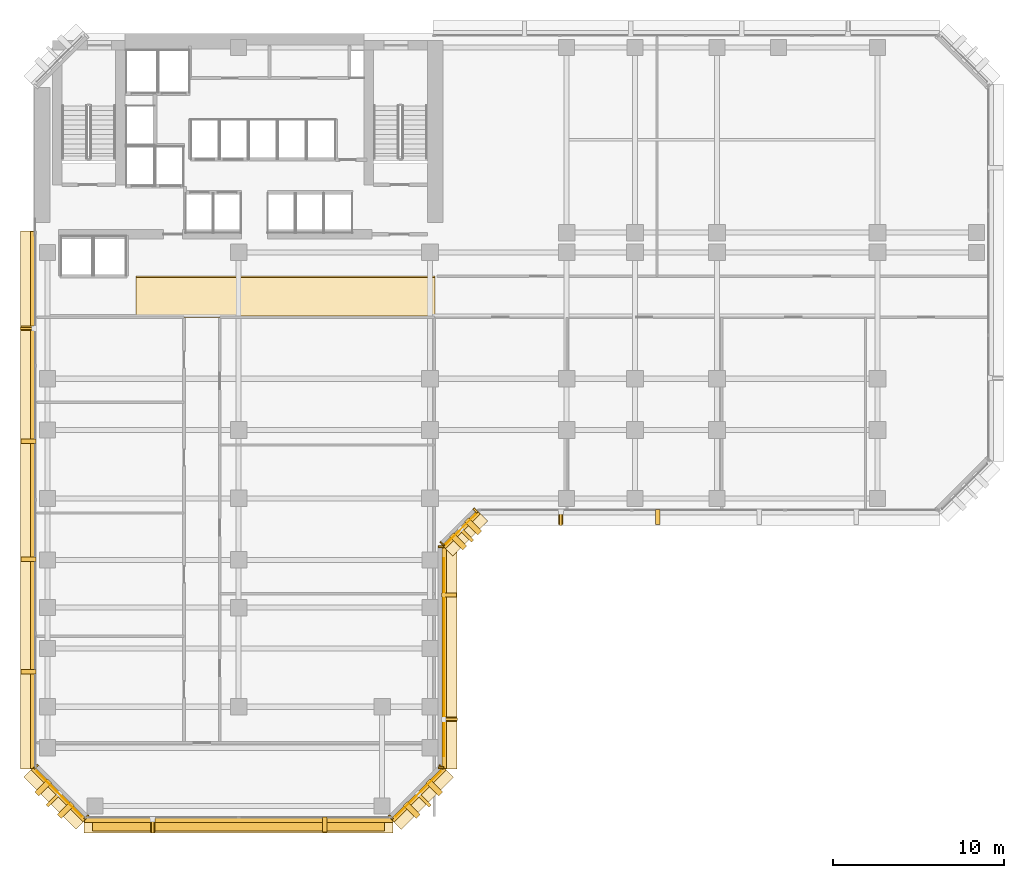
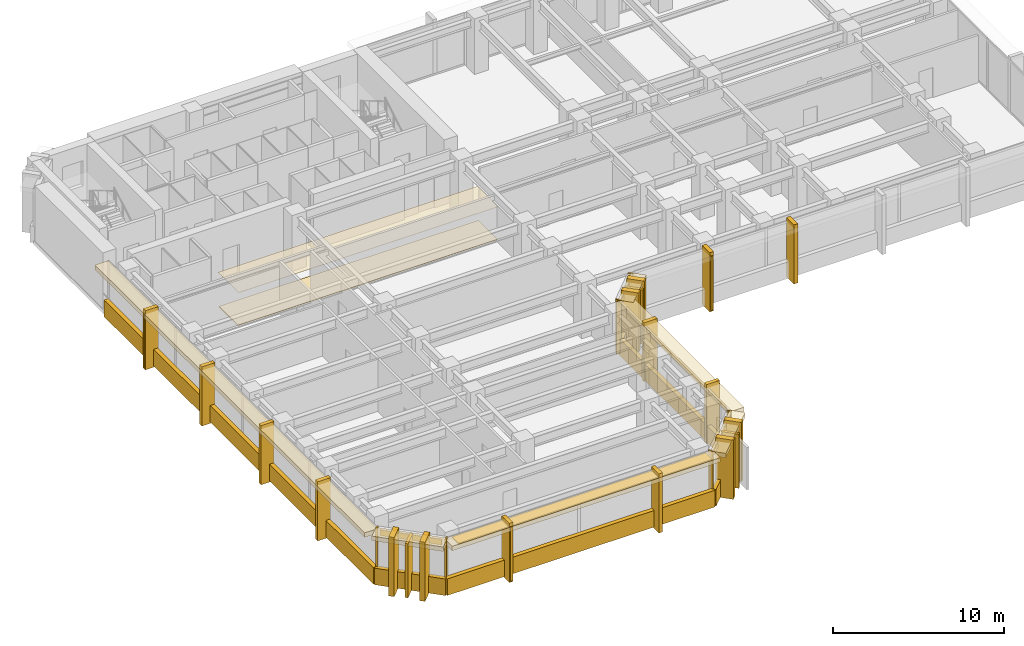
# One storey, part 9 of 13: 42 coverings, 8 shading devices.
"""IFC4 building model written with IfcOpenShell, lengths in metres."""

from ifc_helpers import new_model, si_unit, direction, frame, origin, origin_2d, place, context, subcontext, project, spatial, polyline, rectangle, outline, extrude, material, layer, layer_set, material_profile, profile_set, type_object, element, save


model = new_model("IFC4")

# Units and contexts
model_context = context("Model", 3, precision=1e-05, world=origin(), true_north=direction((0.0, 1.0)))
body_context = subcontext(model_context, "Body", "Model", "MODEL_VIEW")
ifc_project = project(units=[si_unit("LENGTHUNIT", "METRE"), si_unit("AREAUNIT", "SQUARE_METRE"), si_unit("VOLUMEUNIT", "CUBIC_METRE"), si_unit("PLANEANGLEUNIT", "RADIAN"), si_unit("MASSUNIT", "GRAM", prefix="KILO")], contexts=[model_context])

# Site, building, storey
site_placement = place(None, origin())
site = spatial("IfcSite", under=ifc_project, at=site_placement, CompositionType="ELEMENT")
building_placement = place(site_placement, origin())
building = spatial("IfcBuilding", under=site, at=building_placement, Name="Kefirva Bronze Tower", CompositionType="ELEMENT")
storey_placement = place(building_placement, frame((0.0, 0.0, 54.1201171875)))
storey = spatial("IfcBuildingStorey", under=building, at=storey_placement, Name="L12", CompositionType="ELEMENT", Elevation=54.1201171875)

# Coverings
ifc_material_1 = material(Name="Acoustic mineral tile")
ifc_layer_1 = layer(ifc_material_1, 0.02490234375, Name="Acoustic mineral tile")
ifc_layer_set_1 = layer_set([ifc_layer_1], Name="Acoustic mineral tile")
covering_type_1 = type_object("IfcCoveringType", Name="Acoustic Mineral Suspended Ceiling 25mm", PredefinedType="CEILING", material=ifc_layer_set_1)
covering_1_placement = place(storey_placement, frame((0.0, 0.0, 2.39990234375)))
element("IfcCovering", 1, at=covering_1_placement, inside=storey, type_object=covering_type_1, Name="L12 Corridor Acoustic Ceiling", PredefinedType="CEILING", context=body_context, shape_type="SweptSolid", body=[
    extrude(outline(polyline([(6.0, 29.39990234375), (23.5, 29.39990234375), (23.5, 31.800048828125), (6.0, 31.800048828125), (6.0, 29.39990234375)])), origin(), (0.0, 0.0, 1.0), 0.02490234375),
])
ifc_material_2 = material(Name="Bronze anodised aluminium", Category="aluminium")
ifc_layer_2 = layer(ifc_material_2, 0.02001953125, Name="Bronze anodised aluminium")
ifc_layer_set_2 = layer_set([ifc_layer_2], Name="Bronze anodised aluminium")
covering_type_2 = type_object("IfcCoveringType", Name="Anodised Bronze Spandrel Cladding 20mm", PredefinedType="CLADDING", material=ifc_layer_set_2)
covering_2_placement = place(storey_placement, frame((12.0, -0.0400390625, -0.16015625), z_axis=(0.0, 0.0, 1.0), x_axis=(1.0, 0.0, 0.0)))
element("IfcCovering", 2, at=covering_2_placement, inside=storey, type_object=covering_type_2, Name="L12 Streamline Horizontal Spandrel Band 0", PredefinedType="CLADDING", context=body_context, shape_type="SweptSolid", body=[
    extrude(rectangle(XDim=18.0400390625, YDim=0.280029296875, at=origin_2d()), origin(), (0.0, 0.0, 1.0), 1.179931640625),
])
covering_3_placement = place(storey_placement, frame((22.507080078125, 1.492919921875, 3.2900390625), z_axis=(0.0, 0.0, 1.0), x_axis=(0.707106781187, 0.707106781187, 0.0)))
element("IfcCovering", 3, at=covering_3_placement, inside=storey, type_object=covering_type_2, Name="L12 Bronze Spandrel Cladding 1", PredefinedType="CLADDING", context=body_context, shape_type="SweptSolid", body=[
    extrude(rectangle(XDim=3.719482421875, YDim=0.02001953125, at=origin_2d()), origin(), (0.0, 0.0, 1.0), 0.39990234375),
])
for number, where, z_axis, x_axis, name in (
    (4, (20.91162109375, 0.137939453125, 0.0), (0.0, 0.0, 1.0), (0.707106781187, 0.707106781187, 0.0), "L12 Facade Joint Closure Panel 1S"),
    (5, (23.862060546875, 3.08837890625, 0.0), (0.0, 0.0, 1.0), (0.707106781187, 0.707106781187, 0.0), "L12 Facade Joint Closure Panel 1E"),
):
    element("IfcCovering", number, at=place(storey_placement, frame(where, z_axis=z_axis, x_axis=x_axis)), inside=storey, type_object=covering_type_2, Name=name, PredefinedType="CLADDING", context=body_context, shape_type="SweptSolid", body=[
        extrude(rectangle(XDim=0.10009765625, YDim=0.320068359375, at=origin_2d()), origin(), (0.0, 0.0, 1.0), 3.7099609375),
    ])
covering_4_placement = place(storey_placement, frame((22.5283203125, 1.4716796875, -0.16015625), z_axis=(0.0, 0.0, 1.0), x_axis=(0.707106781187, 0.707106781187, 0.0)))
element("IfcCovering", 6, at=covering_4_placement, inside=storey, type_object=covering_type_2, Name="L12 Streamline Horizontal Spandrel Band 1", PredefinedType="CLADDING", context=body_context, shape_type="SweptSolid", body=[
    extrude(rectangle(XDim=4.28271484375, YDim=0.280029296875, at=origin_2d()), origin(), (0.0, 0.0, 1.0), 1.179931640625),
])
covering_5_placement = place(storey_placement, frame((24.010009765625, 9.5, 3.2900390625), z_axis=(0.0, 0.0, 1.0), x_axis=(0.0, 1.0, 0.0)))
element("IfcCovering", 7, at=covering_5_placement, inside=storey, type_object=covering_type_2, Name="L12 Bronze Spandrel Cladding 2", PredefinedType="CLADDING", context=body_context, shape_type="SweptSolid", body=[
    extrude(rectangle(XDim=11.60107421875, YDim=0.02001953125, at=origin_2d()), origin(), (0.0, 0.0, 1.0), 0.39990234375),
])
for number, where, z_axis, x_axis, name in (
    (8, (23.840087890625, 3.034912109375, 0.0), (0.0, 0.0, 1.0), (0.0, 1.0, 0.0), "L12 Facade Joint Closure Panel 2S"),
    (9, (23.840087890625, 15.965087890625, 0.0), (0.0, 0.0, 1.0), (0.0, 1.0, 0.0), "L12 Facade Joint Closure Panel 2E"),
):
    element("IfcCovering", number, at=place(storey_placement, frame(where, z_axis=z_axis, x_axis=x_axis)), inside=storey, type_object=covering_type_2, Name=name, PredefinedType="CLADDING", context=body_context, shape_type="SweptSolid", body=[
        extrude(rectangle(XDim=0.10009765625, YDim=0.320068359375, at=origin_2d()), origin(), (0.0, 0.0, 1.0), 3.7099609375),
    ])
covering_6_placement = place(storey_placement, frame((24.0400390625, 9.5, -0.16015625), z_axis=(0.0, 0.0, 1.0), x_axis=(0.0, 1.0, 0.0)))
element("IfcCovering", 10, at=covering_6_placement, inside=storey, type_object=covering_type_2, Name="L12 Streamline Horizontal Spandrel Band 2", PredefinedType="CLADDING", context=body_context, shape_type="SweptSolid", body=[
    extrude(rectangle(XDim=13.0400390625, YDim=0.280029296875, at=origin_2d()), origin(), (0.0, 0.0, 1.0), 1.179931640625),
])
covering_7_placement = place(storey_placement, frame((25.007080078125, 16.992919921875, 3.2900390625), z_axis=(0.0, 0.0, 1.0), x_axis=(0.707106781187, 0.707106781187, 0.0)))
element("IfcCovering", 11, at=covering_7_placement, inside=storey, type_object=covering_type_2, Name="L12 Bronze Spandrel Cladding 3", PredefinedType="CLADDING", context=body_context, shape_type="SweptSolid", body=[
    extrude(rectangle(XDim=2.446533203125, YDim=0.02001953125, at=origin_2d()), origin(), (0.0, 0.0, 1.0), 0.39990234375),
])
for number, where, z_axis, x_axis, name in (
    (12, (23.91162109375, 16.137939453125, 0.0), (0.0, 0.0, 1.0), (0.707106781187, 0.707106781187, 0.0), "L12 Facade Joint Closure Panel 3S"),
    (13, (25.862060546875, 18.08837890625, 0.0), (0.0, 0.0, 1.0), (0.707106781187, 0.707106781187, 0.0), "L12 Facade Joint Closure Panel 3E"),
):
    element("IfcCovering", number, at=place(storey_placement, frame(where, z_axis=z_axis, x_axis=x_axis)), inside=storey, type_object=covering_type_2, Name=name, PredefinedType="CLADDING", context=body_context, shape_type="SweptSolid", body=[
        extrude(rectangle(XDim=0.10009765625, YDim=0.320068359375, at=origin_2d()), origin(), (0.0, 0.0, 1.0), 3.7099609375),
    ])
covering_8_placement = place(storey_placement, frame((25.0283203125, 16.9716796875, -0.16015625), z_axis=(0.0, 0.0, 1.0), x_axis=(0.707106781187, 0.707106781187, 0.0)))
element("IfcCovering", 14, at=covering_8_placement, inside=storey, type_object=covering_type_2, Name="L12 Streamline Horizontal Spandrel Band 3", PredefinedType="CLADDING", context=body_context, shape_type="SweptSolid", body=[
    extrude(rectangle(XDim=2.868408203125, YDim=0.280029296875, at=origin_2d()), origin(), (0.0, 0.0, 1.0), 1.179931640625),
])
covering_9_placement = place(storey_placement, frame((-0.0400390625, 18.697509765625, -0.16015625), z_axis=(0.0, 0.0, 1.0), x_axis=(0.0, -1.0, 0.0)))
element("IfcCovering", 15, at=covering_9_placement, inside=storey, type_object=covering_type_2, Name="L12 Streamline Horizontal Spandrel Band 10", PredefinedType="CLADDING", context=body_context, shape_type="SweptSolid", body=[
    extrude(rectangle(XDim=31.43505859375, YDim=0.280029296875, at=origin_2d()), origin(), (0.0, 0.0, 1.0), 1.179931640625),
])
covering_10_placement = place(storey_placement, frame((1.492919921875, 1.492919921875, 3.2900390625), z_axis=(0.0, 0.0, 1.0), x_axis=(0.707106781187, -0.707106781187, 0.0)))
element("IfcCovering", 16, at=covering_10_placement, inside=storey, type_object=covering_type_2, Name="L12 Bronze Spandrel Cladding 7", PredefinedType="CLADDING", context=body_context, shape_type="SweptSolid", body=[
    extrude(rectangle(XDim=3.719482421875, YDim=0.02001953125, at=origin_2d()), origin(), (0.0, 0.0, 1.0), 0.39990234375),
])
for number, where, z_axis, x_axis, name in (
    (17, (0.137939453125, 3.08837890625, 0.0), (0.0, 0.0, 1.0), (0.707106781187, -0.707106781187, 0.0), "L12 Facade Joint Closure Panel 7S"),
    (18, (3.08837890625, 0.137939453125, 0.0), (0.0, 0.0, 1.0), (0.707106781187, -0.707106781187, 0.0), "L12 Facade Joint Closure Panel 7E"),
):
    element("IfcCovering", number, at=place(storey_placement, frame(where, z_axis=z_axis, x_axis=x_axis)), inside=storey, type_object=covering_type_2, Name=name, PredefinedType="CLADDING", context=body_context, shape_type="SweptSolid", body=[
        extrude(rectangle(XDim=0.10009765625, YDim=0.320068359375, at=origin_2d()), origin(), (0.0, 0.0, 1.0), 3.7099609375),
    ])
covering_11_placement = place(storey_placement, frame((1.4716796875, 1.4716796875, -0.16015625), z_axis=(0.0, 0.0, 1.0), x_axis=(0.707106781187, -0.707106781187, 0.0)))
element("IfcCovering", 19, at=covering_11_placement, inside=storey, type_object=covering_type_2, Name="L12 Streamline Horizontal Spandrel Band 11", PredefinedType="CLADDING", context=body_context, shape_type="SweptSolid", body=[
    extrude(rectangle(XDim=4.28271484375, YDim=0.280029296875, at=origin_2d()), origin(), (0.0, 0.0, 1.0), 1.179931640625),
])

# Shading devices
ifc_material_profile_1 = material_profile(ifc_material_2, rectangle(XDim=0.179931640625, YDim=1.080078125, at=origin_2d()), Name="BRONZE BUTTRESS FIN 180x1080")
ifc_profile_set_1 = profile_set([ifc_material_profile_1], Name="Bronze anodised aluminium")
shading_device_type_1 = type_object("IfcShadingDeviceType", Name="Chamfered Corner Buttress Bronze Fin 1080mm", PredefinedType="USERDEFINED", material=ifc_profile_set_1)
for number, where, z_axis, x_axis, name in (
    (20, (22.8251953125, 1.1748046875, -0.14013671875), (0.0, 0.0, 1.0), (0.707106781187, 0.707106781187, 0.0), "L12 Chamfered Corner Buttress Fin 4"),
    (21, (25.3251953125, 16.6748046875, -0.14013671875), (0.0, 0.0, 1.0), (0.707106781187, 0.707106781187, 0.0), "L12 Chamfered Corner Buttress Fin 8"),
    (22, (1.1748046875, 1.1748046875, -0.14013671875), (0.0, 0.0, 1.0), (0.707106781187, -0.707106781187, 0.0), "L12 Chamfered Corner Buttress Fin 30"),
):
    element("IfcShadingDevice", number, at=place(storey_placement, frame(where, z_axis=z_axis, x_axis=x_axis)), inside=storey, type_object=shading_device_type_1, Name=name, ObjectType="VERTICAL FIN", PredefinedType="USERDEFINED", context=body_context, shape_type="SweptSolid", body=[
        extrude(rectangle(XDim=0.179931640625, YDim=1.080078125, at=origin_2d()), origin(), (0.0, 0.0, 1.0), 3.85009765625),
    ])
ifc_layer_3 = layer(ifc_material_2, 0.090087890625, Name="Bronze anodised aluminium")
ifc_layer_set_3 = layer_set([ifc_layer_3], Name="Bronze anodised aluminium")
shading_device_type_2 = type_object("IfcShadingDeviceType", Name="Horizontal Bronze Sunshade Band 750mm", PredefinedType="JALOUSIE", material=ifc_layer_set_3)
shading_device_placement = place(storey_placement, frame((12.0, -0.294921875, 3.60498046875), z_axis=(0.0, 0.0, 1.0), x_axis=(1.0, 0.0, 0.0)))
element("IfcShadingDevice", 23, at=shading_device_placement, inside=storey, type_object=shading_device_type_2, Name="L12 Horizontal Bronze Sunshade Band 0", PredefinedType="JALOUSIE", context=body_context, shape_type="SweptSolid", body=[
    extrude(rectangle(XDim=17.090087890625, YDim=0.75, at=origin_2d()), origin(), (0.0, 0.0, 1.0), 0.090087890625),
])

# Coverings
ifc_material_3 = material(Name="Calcium sulphate access tile")
ifc_layer_4 = layer(ifc_material_3, 0.044921875, Name="Calcium sulphate access tile")
ifc_layer_set_4 = layer_set([ifc_layer_4], Name="Calcium sulphate access tile")
covering_type_3 = type_object("IfcCoveringType", Name="Raised Access Office Flooring 45mm", PredefinedType="FLOORING", material=ifc_layer_set_4)
covering_12_placement = place(storey_placement, origin())
element("IfcCovering", 24, at=covering_12_placement, inside=storey, type_object=covering_type_3, Name="L12 Architectural Finish Flooring", PredefinedType="FLOORING", context=body_context, shape_type="SweptSolid", body=[
    extrude(outline(polyline([(6.0, 29.47998046875), (23.5, 29.47998046875), (23.5, 31.719970703125), (6.0, 31.719970703125), (6.0, 29.47998046875)])), origin(), (0.0, 0.0, 1.0), 0.044921875),
])
ifc_layer_5 = layer(ifc_material_2, 0.179931640625, Name="Bronze anodised aluminium")
ifc_layer_set_5 = layer_set([ifc_layer_5], Name="Bronze anodised aluminium")
covering_type_4 = type_object("IfcCoveringType", Name="Streamline Bronze Sunshade Eyebrow Cladding 180mm", PredefinedType="CLADDING", material=ifc_layer_set_5)
covering_13_placement = place(storey_placement, frame((12.0, -0.31005859375, 3.3896484375), z_axis=(0.0, 0.0, 1.0), x_axis=(1.0, 0.0, 0.0)))
element("IfcCovering", 25, at=covering_13_placement, inside=storey, type_object=covering_type_4, Name="L12 Streamline Bronze Sunshade Eyebrow 0", PredefinedType="CLADDING", context=body_context, shape_type="SweptSolid", body=[
    extrude(rectangle(XDim=18.080078125, YDim=0.93994140625, at=origin_2d()), origin(), (0.0, 0.0, 1.0), 0.320068359375),
])
covering_14_placement = place(storey_placement, frame((22.71923828125, 1.28076171875, 3.3896484375), z_axis=(0.0, 0.0, 1.0), x_axis=(0.707106781187, 0.707106781187, 0.0)))
element("IfcCovering", 26, at=covering_14_placement, inside=storey, type_object=covering_type_4, Name="L12 Streamline Bronze Sunshade Eyebrow 1", PredefinedType="CLADDING", context=body_context, shape_type="SweptSolid", body=[
    extrude(rectangle(XDim=4.322509765625, YDim=0.93994140625, at=origin_2d()), origin(), (0.0, 0.0, 1.0), 0.320068359375),
])
covering_15_placement = place(storey_placement, frame((24.31005859375, 9.5, 3.3896484375), z_axis=(0.0, 0.0, 1.0), x_axis=(0.0, 1.0, 0.0)))
element("IfcCovering", 27, at=covering_15_placement, inside=storey, type_object=covering_type_4, Name="L12 Streamline Bronze Sunshade Eyebrow 2", PredefinedType="CLADDING", context=body_context, shape_type="SweptSolid", body=[
    extrude(rectangle(XDim=13.080078125, YDim=0.93994140625, at=origin_2d()), origin(), (0.0, 0.0, 1.0), 0.320068359375),
])
covering_16_placement = place(storey_placement, frame((25.21923828125, 16.78076171875, 3.3896484375), z_axis=(0.0, 0.0, 1.0), x_axis=(0.707106781187, 0.707106781187, 0.0)))
element("IfcCovering", 28, at=covering_16_placement, inside=storey, type_object=covering_type_4, Name="L12 Streamline Bronze Sunshade Eyebrow 3", PredefinedType="CLADDING", context=body_context, shape_type="SweptSolid", body=[
    extrude(rectangle(XDim=2.908447265625, YDim=0.93994140625, at=origin_2d()), origin(), (0.0, 0.0, 1.0), 0.320068359375),
])
covering_17_placement = place(storey_placement, frame((-0.31005859375, 18.697509765625, 3.3896484375), z_axis=(0.0, 0.0, 1.0), x_axis=(0.0, -1.0, 0.0)))
element("IfcCovering", 29, at=covering_17_placement, inside=storey, type_object=covering_type_4, Name="L12 Streamline Bronze Sunshade Eyebrow 10", PredefinedType="CLADDING", context=body_context, shape_type="SweptSolid", body=[
    extrude(rectangle(XDim=31.47509765625, YDim=0.93994140625, at=origin_2d()), origin(), (0.0, 0.0, 1.0), 0.320068359375),
])
covering_18_placement = place(storey_placement, frame((1.28076171875, 1.28076171875, 3.3896484375), z_axis=(0.0, 0.0, 1.0), x_axis=(0.707106781187, -0.707106781187, 0.0)))
element("IfcCovering", 30, at=covering_18_placement, inside=storey, type_object=covering_type_4, Name="L12 Streamline Bronze Sunshade Eyebrow 11", PredefinedType="CLADDING", context=body_context, shape_type="SweptSolid", body=[
    extrude(rectangle(XDim=4.322509765625, YDim=0.93994140625, at=origin_2d()), origin(), (0.0, 0.0, 1.0), 0.320068359375),
])
ifc_layer_6 = layer(ifc_material_2, 0.260009765625, Name="Bronze anodised aluminium")
ifc_layer_set_6 = layer_set([ifc_layer_6], Name="Bronze anodised aluminium")
covering_type_5 = type_object("IfcCoveringType", Name="Unbroken Bronze Buttress Fin Cladding 260mm", PredefinedType="CLADDING", material=ifc_layer_set_6)
for number, where, z_axis, x_axis, name in (
    (31, (6.9599609375, -0.300048828125, -0.25), (0.0, 0.0, 1.0), (1.0, 0.0, 0.0), "L12 Unbroken Vertical Bronze Rib Fin 1"),
    (32, (17.0400390625, -0.300048828125, -0.25), (0.0, 0.0, 1.0), (1.0, 0.0, 0.0), "L12 Unbroken Vertical Bronze Rib Fin 2"),
):
    element("IfcCovering", number, at=place(storey_placement, frame(where, z_axis=z_axis, x_axis=x_axis)), inside=storey, type_object=covering_type_5, Name=name, PredefinedType="CLADDING", context=body_context, shape_type="SweptSolid", body=[
        extrude(rectangle(XDim=0.260009765625, YDim=0.8798828125, at=origin_2d()), origin(), (0.0, 0.0, 1.0), 4.2099609375),
    ])
for number, where, z_axis, x_axis, name in (
    (33, (22.122802734375, 0.55712890625, -0.25), (0.0, 0.0, 1.0), (0.707106781187, 0.707106781187, 0.0), "L12 Chamfered Corner Buttress Fin Cladding 3"),
    (34, (23.44287109375, 1.877197265625, -0.25), (0.0, 0.0, 1.0), (0.707106781187, 0.707106781187, 0.0), "L12 Chamfered Corner Buttress Fin Cladding 4"),
):
    element("IfcCovering", number, at=place(storey_placement, frame(where, z_axis=z_axis, x_axis=x_axis)), inside=storey, type_object=covering_type_5, Name=name, PredefinedType="CLADDING", context=body_context, shape_type="SweptSolid", body=[
        extrude(rectangle(XDim=0.340087890625, YDim=1.080078125, at=origin_2d()), origin(), (0.0, 0.0, 1.0), 4.2099609375),
    ])
for number, where, z_axis, x_axis, name in (
    (35, (24.300048828125, 5.860107421875, -0.25), (0.0, 0.0, 1.0), (0.0, 1.0, 0.0), "L12 Unbroken Vertical Bronze Rib Fin 5"),
    (36, (24.300048828125, 13.139892578125, -0.25), (0.0, 0.0, 1.0), (0.0, 1.0, 0.0), "L12 Unbroken Vertical Bronze Rib Fin 6"),
):
    element("IfcCovering", number, at=place(storey_placement, frame(where, z_axis=z_axis, x_axis=x_axis)), inside=storey, type_object=covering_type_5, Name=name, PredefinedType="CLADDING", context=body_context, shape_type="SweptSolid", body=[
        extrude(rectangle(XDim=0.260009765625, YDim=0.8798828125, at=origin_2d()), origin(), (0.0, 0.0, 1.0), 4.2099609375),
    ])
for number, where, z_axis, x_axis, name in (
    (37, (24.8427734375, 16.277099609375, -0.25), (0.0, 0.0, 1.0), (0.707106781187, 0.707106781187, 0.0), "L12 Chamfered Corner Buttress Fin Cladding 7"),
    (38, (25.722900390625, 17.1572265625, -0.25), (0.0, 0.0, 1.0), (0.707106781187, 0.707106781187, 0.0), "L12 Chamfered Corner Buttress Fin Cladding 8"),
):
    element("IfcCovering", number, at=place(storey_placement, frame(where, z_axis=z_axis, x_axis=x_axis)), inside=storey, type_object=covering_type_5, Name=name, PredefinedType="CLADDING", context=body_context, shape_type="SweptSolid", body=[
        extrude(rectangle(XDim=0.340087890625, YDim=1.080078125, at=origin_2d()), origin(), (0.0, 0.0, 1.0), 4.2099609375),
    ])
for number, where, z_axis, x_axis, name in (
    (39, (30.860107421875, 17.699951171875, -0.25), (0.0, 0.0, 1.0), (1.0, 0.0, 0.0), "L12 Unbroken Vertical Bronze Rib Fin 9"),
    (40, (36.530029296875, 17.699951171875, -0.25), (0.0, 0.0, 1.0), (1.0, 0.0, 0.0), "L12 Unbroken Vertical Bronze Rib Fin 10"),
    (41, (-0.300048828125, 28.743896484375, -0.25), (0.0, 0.0, 1.0), (0.0, -1.0, 0.0), "L12 Unbroken Vertical Bronze Rib Fin 25"),
    (42, (-0.300048828125, 22.15087890625, -0.25), (0.0, 0.0, 1.0), (0.0, -1.0, 0.0), "L12 Unbroken Vertical Bronze Rib Fin 26"),
    (43, (-0.300048828125, 15.244140625, -0.25), (0.0, 0.0, 1.0), (0.0, -1.0, 0.0), "L12 Unbroken Vertical Bronze Rib Fin 27"),
    (44, (-0.300048828125, 8.651123046875, -0.25), (0.0, 0.0, 1.0), (0.0, -1.0, 0.0), "L12 Unbroken Vertical Bronze Rib Fin 28"),
):
    element("IfcCovering", number, at=place(storey_placement, frame(where, z_axis=z_axis, x_axis=x_axis)), inside=storey, type_object=covering_type_5, Name=name, PredefinedType="CLADDING", context=body_context, shape_type="SweptSolid", body=[
        extrude(rectangle(XDim=0.260009765625, YDim=0.8798828125, at=origin_2d()), origin(), (0.0, 0.0, 1.0), 4.2099609375),
    ])
for number, where, z_axis, x_axis, name in (
    (45, (0.55712890625, 1.877197265625, -0.25), (0.0, 0.0, 1.0), (0.707106781187, -0.707106781187, 0.0), "L12 Chamfered Corner Buttress Fin Cladding 29"),
    (46, (1.877197265625, 0.55712890625, -0.25), (0.0, 0.0, 1.0), (0.707106781187, -0.707106781187, 0.0), "L12 Chamfered Corner Buttress Fin Cladding 30"),
):
    element("IfcCovering", number, at=place(storey_placement, frame(where, z_axis=z_axis, x_axis=x_axis)), inside=storey, type_object=covering_type_5, Name=name, PredefinedType="CLADDING", context=body_context, shape_type="SweptSolid", body=[
        extrude(rectangle(XDim=0.340087890625, YDim=1.080078125, at=origin_2d()), origin(), (0.0, 0.0, 1.0), 4.2099609375),
    ])

# Shading devices
ifc_material_profile_2 = material_profile(ifc_material_2, rectangle(XDim=0.139892578125, YDim=0.8798828125, at=origin_2d()), Name="BRONZE FIN 140x880")
ifc_profile_set_2 = profile_set([ifc_material_profile_2], Name="Bronze anodised aluminium")
shading_device_type_3 = type_object("IfcShadingDeviceType", Name="Unbroken Vertical Bronze Facade Fin 880mm", PredefinedType="USERDEFINED", material=ifc_profile_set_2)
for number, where, z_axis, x_axis, name in (
    (47, (6.9599609375, -0.360107421875, -0.14013671875), (0.0, 0.0, 1.0), (1.0, 0.0, 0.0), "L12 Vertical Bronze Rib Fin 1"),
    (48, (24.360107421875, 5.860107421875, -0.14013671875), (0.0, 0.0, 1.0), (0.0, 1.0, 0.0), "L12 Vertical Bronze Rib Fin 5"),
    (49, (30.860107421875, 17.639892578125, -0.14013671875), (0.0, 0.0, 1.0), (1.0, 0.0, 0.0), "L12 Vertical Bronze Rib Fin 9"),
    (50, (-0.360107421875, 28.743896484375, -0.14013671875), (0.0, 0.0, 1.0), (0.0, -1.0, 0.0), "L12 Vertical Bronze Rib Fin 25"),
):
    element("IfcShadingDevice", number, at=place(storey_placement, frame(where, z_axis=z_axis, x_axis=x_axis)), inside=storey, type_object=shading_device_type_3, Name=name, ObjectType="VERTICAL FIN", PredefinedType="USERDEFINED", context=body_context, shape_type="SweptSolid", body=[
        extrude(rectangle(XDim=0.139892578125, YDim=0.8798828125, at=origin_2d()), origin(), (0.0, 0.0, 1.0), 3.85009765625),
    ])

save(model, "model.ifc")
